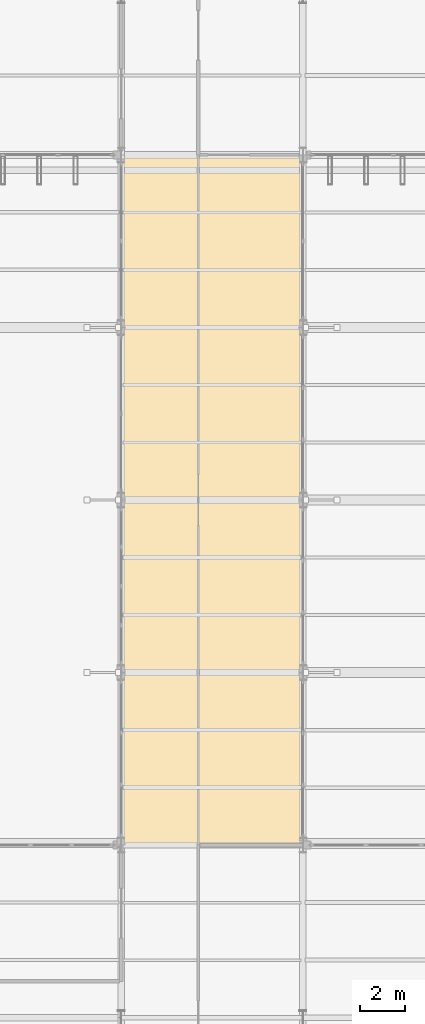
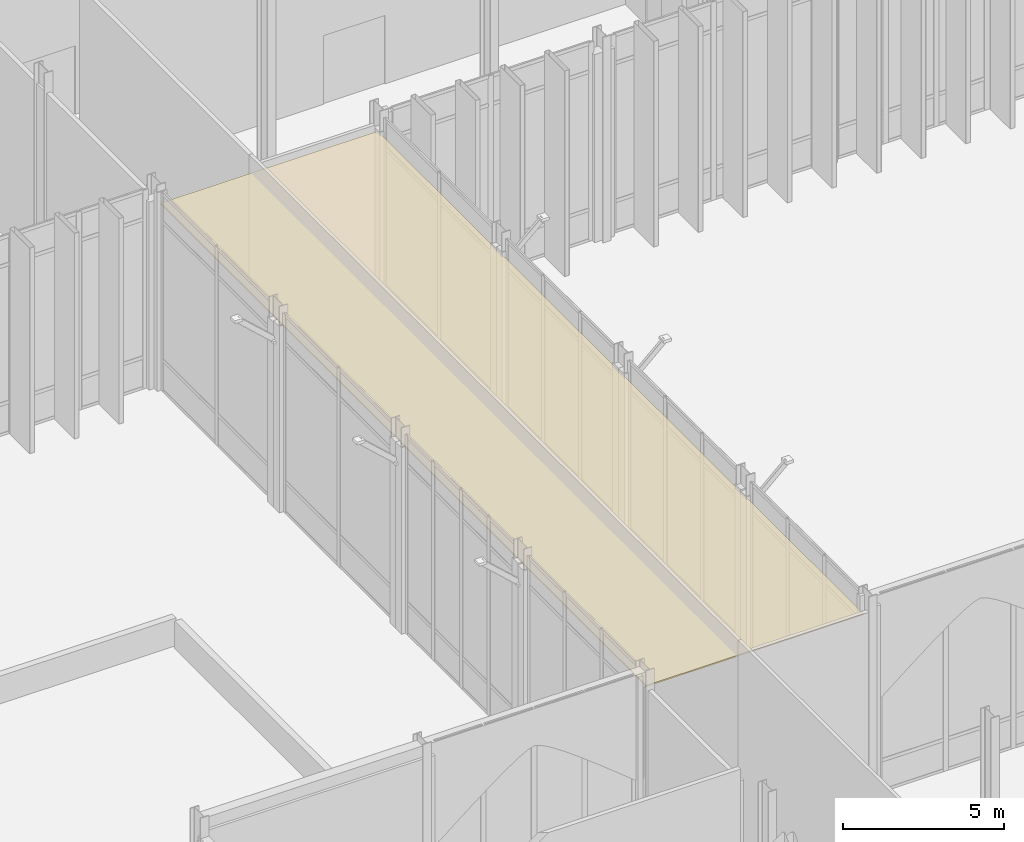
# One storey, part 160 of 176: 1 covering.
"""IFC4 building model written with IfcOpenShell, lengths in metres."""

from ifc_helpers import new_model, si_unit, direction, frame, origin, place, context, subcontext, project, spatial, polyline, outline, extrude, material, layer, layer_set, type_object, element, save


model = new_model("IFC4")

# Units and contexts
model_context = context("Model", 3, precision=1e-05, world=origin(), true_north=direction((0.0, 1.0)))
body_context = subcontext(model_context, "Body", "Model", "MODEL_VIEW")
ifc_project = project(units=[si_unit("LENGTHUNIT", "METRE"), si_unit("AREAUNIT", "SQUARE_METRE"), si_unit("VOLUMEUNIT", "CUBIC_METRE"), si_unit("PLANEANGLEUNIT", "RADIAN"), si_unit("MASSUNIT", "GRAM", prefix="KILO")], contexts=[model_context])

# Site, building, storey
site_placement = place(None, origin())
site = spatial("IfcSite", under=ifc_project, at=site_placement, CompositionType="ELEMENT")
building_placement = place(site_placement, origin())
building = spatial("IfcBuilding", under=site, at=building_placement, Name="Vekula Escarpment Museum", CompositionType="ELEMENT")
storey_placement = place(building_placement, origin())
storey = spatial("IfcBuildingStorey", under=building, at=storey_placement, Name="L01", CompositionType="ELEMENT", Elevation=0.0)

# Covering
ifc_material = material(Name="Perforated gypsum acoustic ceiling", Category="gypsum")
ifc_layer = layer(ifc_material, 0.050048828125)
ifc_layer_set = layer_set([ifc_layer], Name="Perforated gypsum acoustic ceiling")
covering_type = type_object("IfcCoveringType", Name="COV-CEIL-AC60", PredefinedType="CEILING", material=ifc_layer_set)
covering_placement = place(storey_placement, frame((0.0, 0.0, 6.85009765625)))
element("IfcCovering", 1, at=covering_placement, inside=storey, type_object=covering_type, Name="Acoustic Gallery Ceiling L01-002", PredefinedType="CEILING", context=body_context, shape_type="SweptSolid", body=[
    extrude(outline(polyline([(94.10009765625, 15.300048828125), (101.89990234375, 15.300048828125), (101.89990234375, 45.5), (94.10009765625, 45.5), (94.10009765625, 15.300048828125)])), origin(), (0.0, 0.0, 1.0), 0.0498046875),
])

save(model, "model.ifc")
